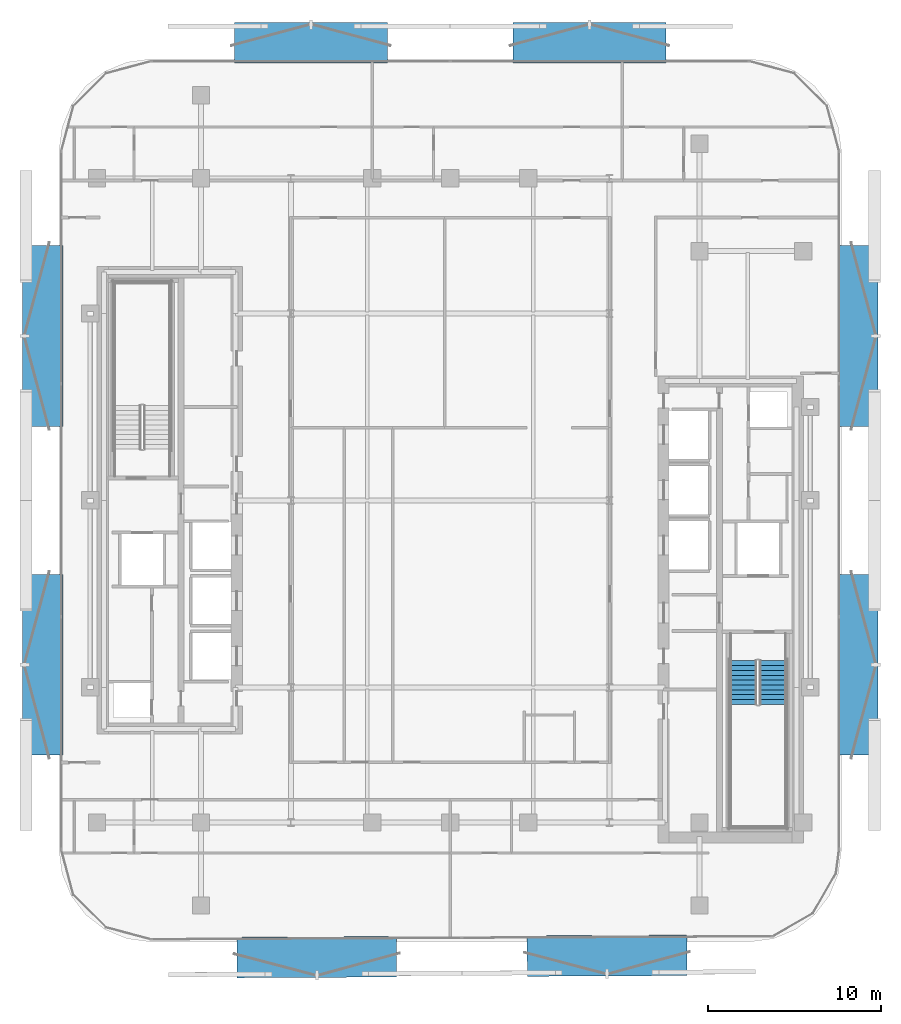
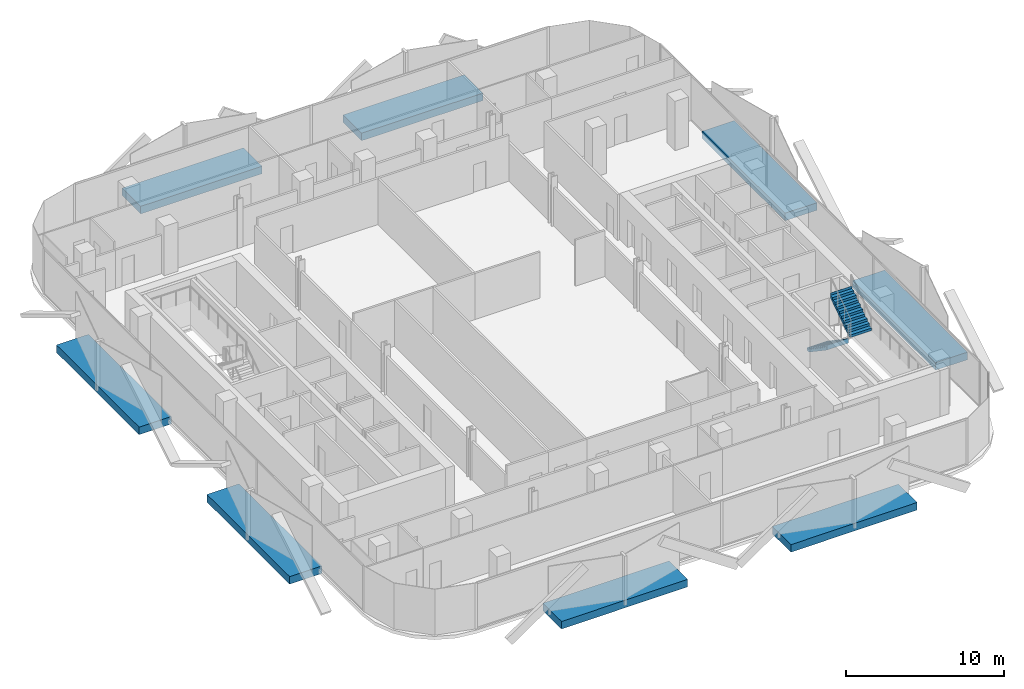
# One storey, part 7 of 16: 8 discrete accessories, 2 stair flights, 1 element without a shape of its own.
"""IFC4 building model written with IfcOpenShell, lengths in metres."""

import ifcopenshell
import ifcopenshell.guid

model = None  # the IFC model being written
_history = None  # IfcOwnerHistory: only IFC2X3 demands one
_inside = {}  # id of a spatial element -> (the spatial element, [elements in it])
_under = {}  # id of a project, library or spatial element -> (it, [spatial elements below it])
_declared = {}  # id of a project -> (the project, [libraries it declares])
_typed = {}  # id of a type object -> (the type object, [elements of that type])
_made_of = {}  # id of a material, layer set ... -> (it, [elements and type objects made of it])


def new_model(schema):
    """Start an empty IFC model of exactly this schema.

    Asked for "IFC4X3", IfcOpenShell would pick the latest addendum, in which some entities
    have other attributes; the version numbers below select the first issue.
    IFC2X3 requires an IfcOwnerHistory on every rooted entity: one is made here for all.
    """
    global model, _history
    if schema == "IFC4X3":
        model = ifcopenshell.file(schema_version=(4, 3, 0, 0))
    else:
        model = ifcopenshell.file(schema=schema)
    _inside.clear()
    _under.clear()
    _declared.clear()
    _typed.clear()
    _made_of.clear()
    _history = None
    if model.schema == "IFC2X3":
        org = make("IfcOrganization", Name="unknown")
        user = make(
            "IfcPersonAndOrganization",
            ThePerson=make("IfcPerson", FamilyName="unknown"),
            TheOrganization=org,
        )
        app = make(
            "IfcApplication",
            ApplicationDeveloper=org,
            Version="unknown",
            ApplicationFullName="unknown",
            ApplicationIdentifier="unknown",
        )
        _history = make(
            "IfcOwnerHistory",
            OwningUser=user,
            OwningApplication=app,
            ChangeAction="ADDED",
            CreationDate=0,
        )
    return model


def make(cls, **values):
    """One entity of the class cls with the attributes given. An attribute that is None is left unset."""
    return model.create_entity(
        cls, **{name: value for name, value in values.items() if value is not None}
    )


def rooted(cls, **values):
    """An entity with a GlobalId (a new one), such as an element, a storey or a relation."""
    return make(cls, GlobalId=ifcopenshell.guid.new(), OwnerHistory=_history, **values)


def si_unit(unit_type, name, prefix=None):
    """IfcSIUnit, for example si_unit("LENGTHUNIT", "METRE", prefix="MILLI")."""
    return make("IfcSIUnit", UnitType=unit_type, Prefix=prefix, Name=name)


def assignment(units):
    """IfcUnitAssignment: the units of a project."""
    return None if units is None else make("IfcUnitAssignment", Units=units)


def point(xyz):
    """IfcCartesianPoint."""
    return None if xyz is None else make("IfcCartesianPoint", Coordinates=xyz)


def direction(xyz):
    """IfcDirection."""
    return None if xyz is None else make("IfcDirection", DirectionRatios=xyz)


def frame(location, z_axis=None, x_axis=None):
    """IfcAxis2Placement3D, a coordinate frame: its origin and axes. An axis left out is left unset."""
    return make(
        "IfcAxis2Placement3D",
        Location=point(location),
        Axis=direction(z_axis),
        RefDirection=direction(x_axis),
    )


def frame_2d(location, x_axis=None):
    """IfcAxis2Placement2D, a coordinate frame in the plane: its origin and x axis."""
    return make(
        "IfcAxis2Placement2D", Location=point(location), RefDirection=direction(x_axis)
    )


def origin():
    """The frame at (0, 0, 0) with its axes left unset."""
    return frame((0.0, 0.0, 0.0))


def origin_2d():
    """The frame at (0, 0) in the plane with its x axis left unset."""
    return frame_2d((0.0, 0.0))


def place(relative_to, where):
    """IfcLocalPlacement: puts the frame where relative to a parent placement (None: the world)."""
    return make(
        "IfcLocalPlacement", PlacementRelTo=relative_to, RelativePlacement=where
    )


def context(
    kind, dimensions, precision=None, world=None, true_north=None, identifier=None
):
    """IfcGeometricRepresentationContext, for example the 3D "Model" context."""
    return make(
        "IfcGeometricRepresentationContext",
        ContextIdentifier=identifier,
        ContextType=kind,
        CoordinateSpaceDimension=dimensions,
        Precision=precision,
        WorldCoordinateSystem=world,
        TrueNorth=true_north,
    )


def subcontext(parent, identifier, kind, view, scale=None):
    """IfcGeometricRepresentationSubContext, for example "Body" below "Model"."""
    return make(
        "IfcGeometricRepresentationSubContext",
        ContextIdentifier=identifier,
        ContextType=kind,
        ParentContext=parent,
        TargetScale=scale,
        TargetView=view,
    )


def project(units=None, contexts=None):
    """IfcProject with its units and contexts."""
    return rooted(
        "IfcProject",
        Name="project",
        RepresentationContexts=contexts,
        UnitsInContext=assignment(units),
    )


def spatial(cls, under=None, at=None, **own):
    """A site, building, storey or space (cls), placed at a placement, below another one or the project."""
    s = rooted(cls, ObjectPlacement=at, **own)
    if under is not None:
        _under.setdefault(under.id(), (under, []))[1].append(s)
    return s


def polyline(points):
    """IfcPolyline through the points."""
    return make("IfcPolyline", Points=[point(p) for p in points])


def profile(cls, at=None, kind="AREA", **sizes):
    """A parametric profile (cls). Its sizes go by their IFC names, for example OverallWidth=200.0."""
    return make(cls, ProfileType=kind, Position=at, **sizes)


def rectangle(**sizes):
    """IfcRectangleProfileDef."""
    return profile("IfcRectangleProfileDef", **sizes)


def outline(outer, holes=None, kind="AREA"):
    """IfcArbitraryClosedProfileDef: a profile drawn as a closed curve; with holes, ...WithVoids."""
    if holes is None:
        return make("IfcArbitraryClosedProfileDef", ProfileType=kind, OuterCurve=outer)
    return make(
        "IfcArbitraryProfileDefWithVoids",
        ProfileType=kind,
        OuterCurve=outer,
        InnerCurves=holes,
    )


def extrude(swept, where, along, depth):
    """IfcExtrudedAreaSolid: the profile swept, set in the frame where, extruded along a direction by depth."""
    return make(
        "IfcExtrudedAreaSolid",
        SweptArea=swept,
        Position=where,
        ExtrudedDirection=direction(along),
        Depth=depth,
    )


def shape(context_of_items, identifier, shape_type, items):
    """IfcShapeRepresentation: the items that make up one representation, for example the "Body"."""
    return make(
        "IfcShapeRepresentation",
        ContextOfItems=context_of_items,
        RepresentationIdentifier=identifier,
        RepresentationType=shape_type,
        Items=items,
    )


def material(Name=None, Category=None):
    """IfcMaterial."""
    return make("IfcMaterial", Name=Name, Category=Category)


def layer(
    of_material, thickness, ventilated=None, Name=None, Category=None, Priority=None
):
    """IfcMaterialLayer: one layer of a wall or slab, of a material (None: an air gap)."""
    return make(
        "IfcMaterialLayer",
        Material=of_material,
        LayerThickness=thickness,
        IsVentilated=ventilated,
        Name=Name,
        Category=Category,
        Priority=Priority,
    )


def layer_set(layers, Name=None):
    """IfcMaterialLayerSet."""
    return make("IfcMaterialLayerSet", MaterialLayers=layers, LayerSetName=Name)


def made_of(thing, what):
    """Note that an element or type object is made of a material, layer set ...; save() writes the relation."""
    if what is not None:
        _made_of.setdefault(what.id(), (what, []))[1].append(thing)
    return thing


def type_object(cls, material=None, **own):
    """A type object (cls), such as IfcWallType, which elements share."""
    return made_of(rooted(cls, **own), material)


def element(
    cls,
    number,
    at=None,
    inside=None,
    cuts=None,
    type_object=None,
    material=None,
    context=None,
    identifier="Body",
    shape_type=None,
    held_by="IfcProductDefinitionShape",
    body=None,
    shapes=None,
    **own,
):
    """One element of the class cls, such as IfcWall. Its Tag is "e" and its number.

    at: its placement. inside: the storey or other place that contains it. cuts: it is an
    opening in that element (IfcRelVoidsElement). A single representation is given by context,
    identifier, shape_type and body (its items); several are given by shapes. held_by: the class
    of the entity that holds the representations. save() writes the other relations.
    """
    e = rooted(cls, Tag="e%d" % number, ObjectPlacement=at, **own)
    if body is not None:
        shapes = [shape(context, identifier, shape_type, body)]
    if shapes is not None:
        e.Representation = make(held_by, Representations=shapes)
    if inside is not None:
        _inside.setdefault(inside.id(), (inside, []))[1].append(e)
    if cuts is not None:
        rooted(
            "IfcRelVoidsElement", RelatingBuildingElement=cuts, RelatedOpeningElement=e
        )
    if type_object is not None:
        _typed.setdefault(type_object.id(), (type_object, []))[1].append(e)
    return made_of(e, material)


def aggregate(whole, parts):
    """IfcRelAggregates: a whole, such as a stair, and the parts it consists of."""
    return rooted("IfcRelAggregates", RelatingObject=whole, RelatedObjects=parts)


def save(model, path):
    """Write the relations noted so far, then the file.

    IfcRelAggregates (storeys below a building ...), IfcRelContainedInSpatialStructure (elements
    in a storey), IfcRelDefinesByType, IfcRelAssociatesMaterial and IfcRelDeclares: one each for
    every whole, place, type object, material and project.
    """
    for whole, parts in _under.values():
        aggregate(whole, parts)
    for where, things in _inside.values():
        rooted(
            "IfcRelContainedInSpatialStructure",
            RelatedElements=things,
            RelatingStructure=where,
        )
    for kind, things in _typed.values():
        rooted("IfcRelDefinesByType", RelatedObjects=things, RelatingType=kind)
    for what, things in _made_of.values():
        rooted("IfcRelAssociatesMaterial", RelatedObjects=things, RelatingMaterial=what)
    for by, libraries in _declared.values():
        rooted("IfcRelDeclares", RelatingContext=by, RelatedDefinitions=libraries)
    model.write(path)


model = new_model("IFC4")

# Units and contexts
model_context = context("Model", 3, precision=1e-05, world=origin(), true_north=direction((0.0, 1.0)))
body_context = subcontext(model_context, "Body", "Model", "MODEL_VIEW")
ifc_project = project(units=[si_unit("LENGTHUNIT", "METRE"), si_unit("AREAUNIT", "SQUARE_METRE"), si_unit("VOLUMEUNIT", "CUBIC_METRE"), si_unit("PLANEANGLEUNIT", "RADIAN"), si_unit("MASSUNIT", "GRAM", prefix="KILO")], contexts=[model_context])

# Site, building, storey
site_placement = place(None, origin())
site = spatial("IfcSite", under=ifc_project, at=site_placement, CompositionType="ELEMENT")
building_placement = place(site_placement, origin())
building = spatial("IfcBuilding", under=site, at=building_placement, Name="Khairoan Windgate Tower", CompositionType="ELEMENT")
storey_placement = place(building_placement, frame((0.0, 0.0, 206.800048828125)))
storey = spatial("IfcBuildingStorey", under=building, at=storey_placement, Name="L48", CompositionType="ELEMENT", Elevation=206.800048828125)

# Stair, stair flights
ifc_material_1 = material(Name="Concrete C40/50", Category="concrete")
stair_type = type_object("IfcStairType", Name="Tower Core Dog-Leg Stair ST-T1 1560mm", PredefinedType="HALF_TURN_STAIR", material=ifc_material_1)
stair_placement = place(storey_placement, origin())
stair = element("IfcStair", 1, at=stair_placement, inside=storey, type_object=stair_type, Name="L48 Stair ST1", PredefinedType="HALF_TURN_STAIR")
ifc_material_2 = material(Name="Concrete C40/50", Category="concrete")
ifc_layer = layer(ifc_material_2, 0.14990234375, Name="Concrete C40/50")
ifc_layer_set = layer_set([ifc_layer], Name="Concrete C40/50")
stair_flight_type = type_object("IfcStairFlightType", Name="Tower Core Stair Flight STF-1560", PredefinedType="STRAIGHT", material=ifc_layer_set)
stair_flight_1_placement = place(storey_placement, frame((16.929931640625, -9.260009765625, 0.0), z_axis=(0.0, 0.0, 1.0), x_axis=(0.0, -1.0, 0.0)))
stair_flight_1 = element("IfcStairFlight", 2, at=stair_flight_1_placement, type_object=stair_flight_type, Name="ST1 flight 1", NumberOfRisers=10, NumberOfTreads=9, PredefinedType="STRAIGHT", RiserHeight=0.19, TreadLength=0.28, context=body_context, shape_type="SweptSolid", body=[
    extrude(outline(polyline([(-0.00390625, 0.0), (-0.00390625, 0.18994140625), (0.0, 0.18994140625), (0.280029296875, 0.18994140625), (0.280029296875, 0.3798828125), (0.56005859375, 0.3798828125), (0.56005859375, 0.570068359375), (0.840087890625, 0.570068359375), (0.840087890625, 0.760009765625), (1.1201171875, 0.760009765625), (1.1201171875, 0.949951171875), (1.39990234375, 0.949951171875), (1.39990234375, 1.139892578125), (1.679931640625, 1.139892578125), (1.679931640625, 1.330078125), (1.9599609375, 1.330078125), (1.9599609375, 1.52001953125), (2.239990234375, 1.52001953125), (2.239990234375, 1.7099609375), (2.52001953125, 1.7099609375), (2.52001953125, 1.89990234375), (2.52392578125, 1.89990234375), (2.52392578125, 1.52880859375), (0.266845703125, 0.0), (-0.00390625, 0.0)])), frame((0.0, 0.780029296875, 0.0), z_axis=(0.0, -1.0, 0.0), x_axis=(1.0, 0.0, 0.0)), (0.0, 0.0, 1.0), 1.56005859375),
])
stair_flight_2_placement = place(storey_placement, frame((18.639892578125, -11.780029296875, 1.89990234375), z_axis=(0.0, 0.0, 1.0), x_axis=(0.0, 1.0, 0.0)))
stair_flight_2 = element("IfcStairFlight", 3, at=stair_flight_2_placement, type_object=stair_flight_type, Name="ST1 flight 2", NumberOfRisers=10, NumberOfTreads=9, PredefinedType="STRAIGHT", RiserHeight=0.19, TreadLength=0.28, context=body_context, shape_type="SweptSolid", body=[
    extrude(outline(polyline([(-0.00390625, 0.0), (-0.00390625, 0.18994140625), (0.0, 0.18994140625), (0.280029296875, 0.18994140625), (0.280029296875, 0.3798828125), (0.56005859375, 0.3798828125), (0.56005859375, 0.570068359375), (0.840087890625, 0.570068359375), (0.840087890625, 0.760009765625), (1.1201171875, 0.760009765625), (1.1201171875, 0.949951171875), (1.39990234375, 0.949951171875), (1.39990234375, 1.139892578125), (1.679931640625, 1.139892578125), (1.679931640625, 1.330078125), (1.9599609375, 1.330078125), (1.9599609375, 1.52001953125), (2.239990234375, 1.52001953125), (2.239990234375, 1.7099609375), (2.52001953125, 1.7099609375), (2.52001953125, 1.89990234375), (2.52392578125, 1.89990234375), (2.52392578125, 1.52880859375), (0.266845703125, 0.0), (-0.00390625, 0.0)])), frame((0.0, 0.780029296875, 0.0), z_axis=(0.0, -1.0, 0.0), x_axis=(1.0, 0.0, 0.0)), (0.0, 0.0, 1.0), 1.56005859375),
])
aggregate(stair, [stair_flight_1, stair_flight_2])

# Discrete accessories
ifc_material_3 = material(Name="Steel S355", Category="steel")
discrete_accessory_type = type_object("IfcDiscreteAccessoryType", Name="Solar Screen Outrigger Slab Bracket SSB-1", PredefinedType="BRACKET", material=ifc_material_3)
for number, where, z_axis, x_axis, name in (
    (4, (9.05908203125, -26.30029296875, -0.420166015625), (0.0, 0.0, 1.0), (-0.999988059021, -0.004886902454, 0.0), "L48 Solar Screen Outrigger Bracket 321"),
    (5, (-7.7041015625, -26.3828125, -0.420166015625), (0.0, 0.0, 1.0), (-0.999988059021, -0.004886902454, 0.0), "L48 Solar Screen Outrigger Bracket 322"),
):
    element("IfcDiscreteAccessory", number, at=place(storey_placement, frame(where, z_axis=z_axis, x_axis=x_axis)), inside=storey, type_object=discrete_accessory_type, Name=name, PredefinedType="BRACKET", context=body_context, shape_type="SweptSolid", body=[
        extrude(rectangle(XDim=9.219970703125, YDim=2.340087890625, at=origin_2d()), origin(), (0.0, 0.0, 1.0), 0.580078125),
    ])
for number, where, z_axis, x_axis, name in (
    (6, (-23.530029296875, -9.495361328125, -0.420166015625), (0.0, 0.0, 1.0), (0.0, 1.0, 0.0), "L48 Solar Screen Outrigger Bracket 323"),
    (7, (-23.530029296875, 9.495361328125, -0.420166015625), (0.0, 0.0, 1.0), (0.0, 1.0, 0.0), "L48 Solar Screen Outrigger Bracket 324"),
):
    element("IfcDiscreteAccessory", number, at=place(storey_placement, frame(where, z_axis=z_axis, x_axis=x_axis)), inside=storey, type_object=discrete_accessory_type, Name=name, PredefinedType="BRACKET", context=body_context, shape_type="SweptSolid", body=[
        extrude(rectangle(XDim=10.445068359375, YDim=2.340087890625, at=origin_2d()), origin(), (0.0, 0.0, 1.0), 0.580078125),
    ])
for number, where, z_axis, x_axis, name in (
    (8, (-8.04541015625, 26.429931640625, -0.420166015625), (0.0, 0.0, 1.0), (1.0, 0.0, 0.0), "L48 Solar Screen Outrigger Bracket 325"),
    (9, (8.04541015625, 26.429931640625, -0.420166015625), (0.0, 0.0, 1.0), (1.0, 0.0, 0.0), "L48 Solar Screen Outrigger Bracket 326"),
):
    element("IfcDiscreteAccessory", number, at=place(storey_placement, frame(where, z_axis=z_axis, x_axis=x_axis)), inside=storey, type_object=discrete_accessory_type, Name=name, PredefinedType="BRACKET", context=body_context, shape_type="SweptSolid", body=[
        extrude(rectangle(XDim=8.85009765625, YDim=2.340087890625, at=origin_2d()), origin(), (0.0, 0.0, 1.0), 0.580078125),
    ])
for number, where, z_axis, x_axis, name in (
    (10, (23.530029296875, 9.495361328125, -0.420166015625), (0.0, 0.0, 1.0), (0.0, -1.0, 0.0), "L48 Solar Screen Outrigger Bracket 327"),
    (11, (23.530029296875, -9.495361328125, -0.420166015625), (0.0, 0.0, 1.0), (0.0, -1.0, 0.0), "L48 Solar Screen Outrigger Bracket 328"),
):
    element("IfcDiscreteAccessory", number, at=place(storey_placement, frame(where, z_axis=z_axis, x_axis=x_axis)), inside=storey, type_object=discrete_accessory_type, Name=name, PredefinedType="BRACKET", context=body_context, shape_type="SweptSolid", body=[
        extrude(rectangle(XDim=10.445068359375, YDim=2.340087890625, at=origin_2d()), origin(), (0.0, 0.0, 1.0), 0.580078125),
    ])

save(model, "model.ifc")
